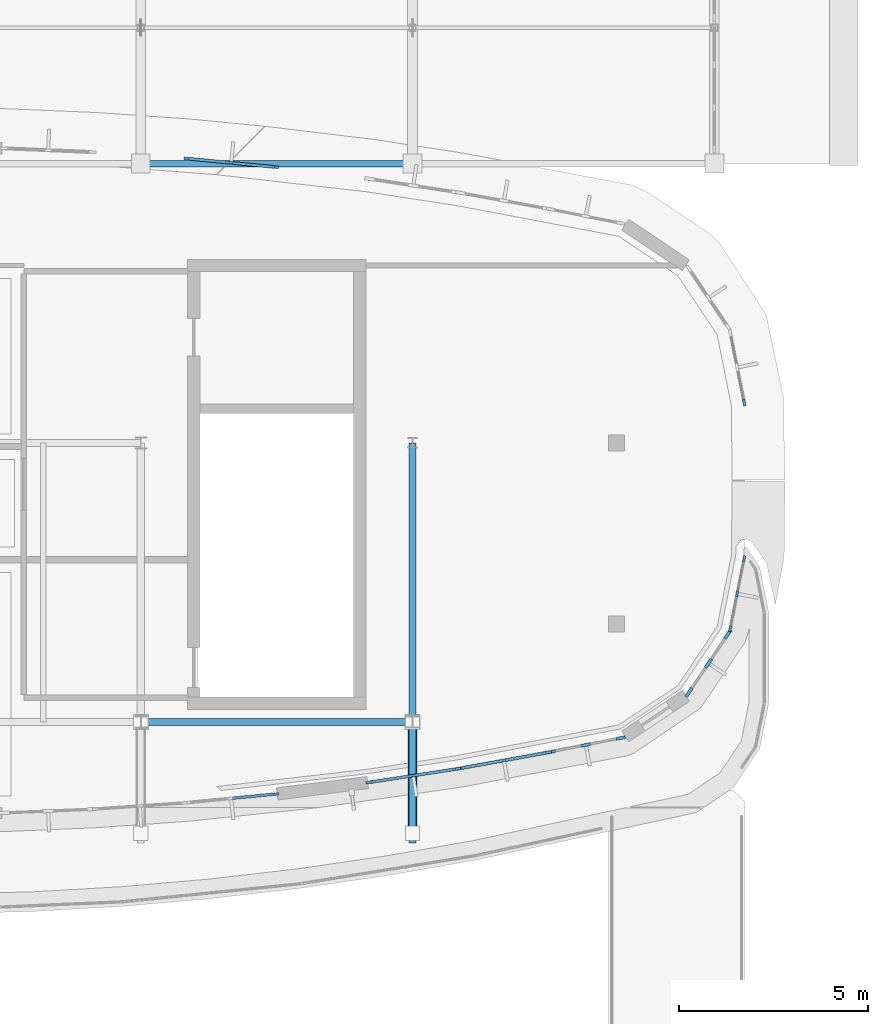
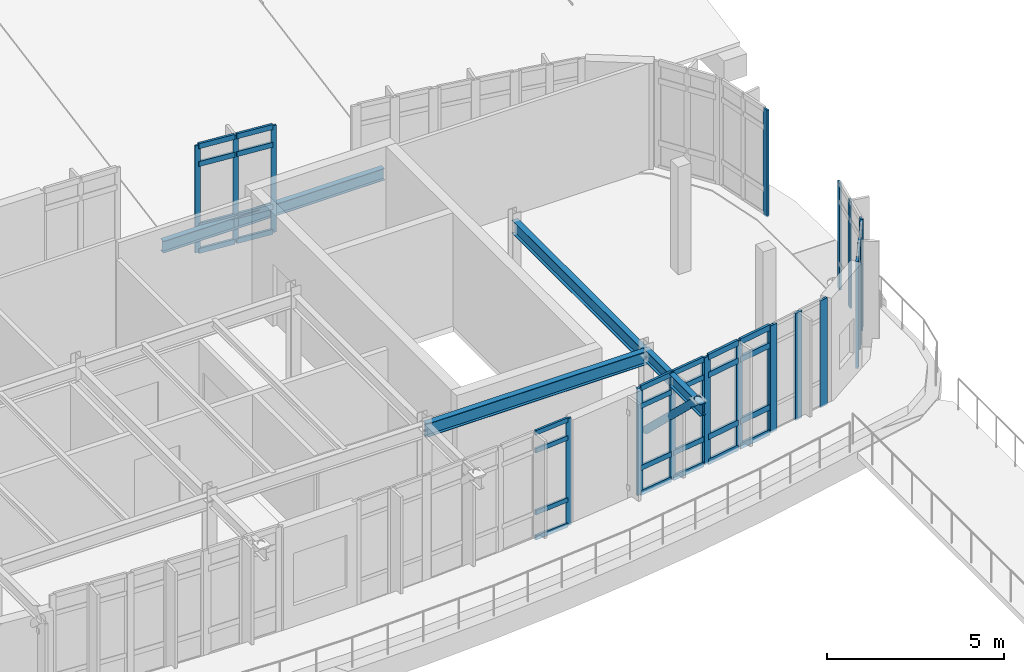
# One storey, part 34 of 105: 49 members, 4 beams, 8 elements without a shape of their own.
"""IFC4 building model written with IfcOpenShell, lengths in metres."""

import ifcopenshell
import ifcopenshell.guid

model = None  # the IFC model being written
_history = None  # IfcOwnerHistory: only IFC2X3 demands one
_inside = {}  # id of a spatial element -> (the spatial element, [elements in it])
_under = {}  # id of a project, library or spatial element -> (it, [spatial elements below it])
_declared = {}  # id of a project -> (the project, [libraries it declares])
_typed = {}  # id of a type object -> (the type object, [elements of that type])
_made_of = {}  # id of a material, layer set ... -> (it, [elements and type objects made of it])


def new_model(schema):
    """Start an empty IFC model of exactly this schema.

    Asked for "IFC4X3", IfcOpenShell would pick the latest addendum, in which some entities
    have other attributes; the version numbers below select the first issue.
    IFC2X3 requires an IfcOwnerHistory on every rooted entity: one is made here for all.
    """
    global model, _history
    if schema == "IFC4X3":
        model = ifcopenshell.file(schema_version=(4, 3, 0, 0))
    else:
        model = ifcopenshell.file(schema=schema)
    _inside.clear()
    _under.clear()
    _declared.clear()
    _typed.clear()
    _made_of.clear()
    _history = None
    if model.schema == "IFC2X3":
        org = make("IfcOrganization", Name="unknown")
        user = make(
            "IfcPersonAndOrganization",
            ThePerson=make("IfcPerson", FamilyName="unknown"),
            TheOrganization=org,
        )
        app = make(
            "IfcApplication",
            ApplicationDeveloper=org,
            Version="unknown",
            ApplicationFullName="unknown",
            ApplicationIdentifier="unknown",
        )
        _history = make(
            "IfcOwnerHistory",
            OwningUser=user,
            OwningApplication=app,
            ChangeAction="ADDED",
            CreationDate=0,
        )
    return model


def make(cls, **values):
    """One entity of the class cls with the attributes given. An attribute that is None is left unset."""
    return model.create_entity(
        cls, **{name: value for name, value in values.items() if value is not None}
    )


def rooted(cls, **values):
    """An entity with a GlobalId (a new one), such as an element, a storey or a relation."""
    return make(cls, GlobalId=ifcopenshell.guid.new(), OwnerHistory=_history, **values)


def si_unit(unit_type, name, prefix=None):
    """IfcSIUnit, for example si_unit("LENGTHUNIT", "METRE", prefix="MILLI")."""
    return make("IfcSIUnit", UnitType=unit_type, Prefix=prefix, Name=name)


def assignment(units):
    """IfcUnitAssignment: the units of a project."""
    return None if units is None else make("IfcUnitAssignment", Units=units)


def point(xyz):
    """IfcCartesianPoint."""
    return None if xyz is None else make("IfcCartesianPoint", Coordinates=xyz)


def direction(xyz):
    """IfcDirection."""
    return None if xyz is None else make("IfcDirection", DirectionRatios=xyz)


def frame(location, z_axis=None, x_axis=None):
    """IfcAxis2Placement3D, a coordinate frame: its origin and axes. An axis left out is left unset."""
    return make(
        "IfcAxis2Placement3D",
        Location=point(location),
        Axis=direction(z_axis),
        RefDirection=direction(x_axis),
    )


def frame_2d(location, x_axis=None):
    """IfcAxis2Placement2D, a coordinate frame in the plane: its origin and x axis."""
    return make(
        "IfcAxis2Placement2D", Location=point(location), RefDirection=direction(x_axis)
    )


def origin():
    """The frame at (0, 0, 0) with its axes left unset."""
    return frame((0.0, 0.0, 0.0))


def origin_2d():
    """The frame at (0, 0) in the plane with its x axis left unset."""
    return frame_2d((0.0, 0.0))


def place(relative_to, where):
    """IfcLocalPlacement: puts the frame where relative to a parent placement (None: the world)."""
    return make(
        "IfcLocalPlacement", PlacementRelTo=relative_to, RelativePlacement=where
    )


def context(
    kind, dimensions, precision=None, world=None, true_north=None, identifier=None
):
    """IfcGeometricRepresentationContext, for example the 3D "Model" context."""
    return make(
        "IfcGeometricRepresentationContext",
        ContextIdentifier=identifier,
        ContextType=kind,
        CoordinateSpaceDimension=dimensions,
        Precision=precision,
        WorldCoordinateSystem=world,
        TrueNorth=true_north,
    )


def subcontext(parent, identifier, kind, view, scale=None):
    """IfcGeometricRepresentationSubContext, for example "Body" below "Model"."""
    return make(
        "IfcGeometricRepresentationSubContext",
        ContextIdentifier=identifier,
        ContextType=kind,
        ParentContext=parent,
        TargetScale=scale,
        TargetView=view,
    )


def project(units=None, contexts=None):
    """IfcProject with its units and contexts."""
    return rooted(
        "IfcProject",
        Name="project",
        RepresentationContexts=contexts,
        UnitsInContext=assignment(units),
    )


def spatial(cls, under=None, at=None, **own):
    """A site, building, storey or space (cls), placed at a placement, below another one or the project."""
    s = rooted(cls, ObjectPlacement=at, **own)
    if under is not None:
        _under.setdefault(under.id(), (under, []))[1].append(s)
    return s


def profile(cls, at=None, kind="AREA", **sizes):
    """A parametric profile (cls). Its sizes go by their IFC names, for example OverallWidth=200.0."""
    return make(cls, ProfileType=kind, Position=at, **sizes)


def rectangle(**sizes):
    """IfcRectangleProfileDef."""
    return profile("IfcRectangleProfileDef", **sizes)


def hollow_circle(**sizes):
    """IfcCircleHollowProfileDef."""
    return profile("IfcCircleHollowProfileDef", **sizes)


def i_section(**sizes):
    """IfcIShapeProfileDef."""
    return profile("IfcIShapeProfileDef", **sizes)


def extrude(swept, where, along, depth):
    """IfcExtrudedAreaSolid: the profile swept, set in the frame where, extruded along a direction by depth."""
    return make(
        "IfcExtrudedAreaSolid",
        SweptArea=swept,
        Position=where,
        ExtrudedDirection=direction(along),
        Depth=depth,
    )


def shape(context_of_items, identifier, shape_type, items):
    """IfcShapeRepresentation: the items that make up one representation, for example the "Body"."""
    return make(
        "IfcShapeRepresentation",
        ContextOfItems=context_of_items,
        RepresentationIdentifier=identifier,
        RepresentationType=shape_type,
        Items=items,
    )


def material(Name=None, Category=None):
    """IfcMaterial."""
    return make("IfcMaterial", Name=Name, Category=Category)


def material_profile(
    of_material, cross_section, Name=None, Category=None, Priority=None
):
    """IfcMaterialProfile: a cross section and its material."""
    return make(
        "IfcMaterialProfile",
        Name=Name,
        Material=of_material,
        Profile=cross_section,
        Priority=Priority,
        Category=Category,
    )


def profile_set(profiles, Name=None, composite=None):
    """IfcMaterialProfileSet."""
    return make(
        "IfcMaterialProfileSet",
        Name=Name,
        MaterialProfiles=profiles,
        CompositeProfile=composite,
    )


def made_of(thing, what):
    """Note that an element or type object is made of a material, layer set ...; save() writes the relation."""
    if what is not None:
        _made_of.setdefault(what.id(), (what, []))[1].append(thing)
    return thing


def type_object(cls, material=None, **own):
    """A type object (cls), such as IfcWallType, which elements share."""
    return made_of(rooted(cls, **own), material)


def element(
    cls,
    number,
    at=None,
    inside=None,
    cuts=None,
    type_object=None,
    material=None,
    context=None,
    identifier="Body",
    shape_type=None,
    held_by="IfcProductDefinitionShape",
    body=None,
    shapes=None,
    **own,
):
    """One element of the class cls, such as IfcWall. Its Tag is "e" and its number.

    at: its placement. inside: the storey or other place that contains it. cuts: it is an
    opening in that element (IfcRelVoidsElement). A single representation is given by context,
    identifier, shape_type and body (its items); several are given by shapes. held_by: the class
    of the entity that holds the representations. save() writes the other relations.
    """
    e = rooted(cls, Tag="e%d" % number, ObjectPlacement=at, **own)
    if body is not None:
        shapes = [shape(context, identifier, shape_type, body)]
    if shapes is not None:
        e.Representation = make(held_by, Representations=shapes)
    if inside is not None:
        _inside.setdefault(inside.id(), (inside, []))[1].append(e)
    if cuts is not None:
        rooted(
            "IfcRelVoidsElement", RelatingBuildingElement=cuts, RelatedOpeningElement=e
        )
    if type_object is not None:
        _typed.setdefault(type_object.id(), (type_object, []))[1].append(e)
    return made_of(e, material)


def aggregate(whole, parts):
    """IfcRelAggregates: a whole, such as a stair, and the parts it consists of."""
    return rooted("IfcRelAggregates", RelatingObject=whole, RelatedObjects=parts)


def save(model, path):
    """Write the relations noted so far, then the file.

    IfcRelAggregates (storeys below a building ...), IfcRelContainedInSpatialStructure (elements
    in a storey), IfcRelDefinesByType, IfcRelAssociatesMaterial and IfcRelDeclares: one each for
    every whole, place, type object, material and project.
    """
    for whole, parts in _under.values():
        aggregate(whole, parts)
    for where, things in _inside.values():
        rooted(
            "IfcRelContainedInSpatialStructure",
            RelatedElements=things,
            RelatingStructure=where,
        )
    for kind, things in _typed.values():
        rooted("IfcRelDefinesByType", RelatedObjects=things, RelatingType=kind)
    for what, things in _made_of.values():
        rooted("IfcRelAssociatesMaterial", RelatedObjects=things, RelatingMaterial=what)
    for by, libraries in _declared.values():
        rooted("IfcRelDeclares", RelatingContext=by, RelatedDefinitions=libraries)
    model.write(path)


model = new_model("IFC4")

# Units and contexts
model_context = context("Model", 3, precision=1e-05, world=origin(), true_north=direction((0.0, 1.0)))
body_context = subcontext(model_context, "Body", "Model", "MODEL_VIEW")
ifc_project = project(units=[si_unit("LENGTHUNIT", "METRE"), si_unit("AREAUNIT", "SQUARE_METRE"), si_unit("VOLUMEUNIT", "CUBIC_METRE"), si_unit("PLANEANGLEUNIT", "RADIAN"), si_unit("MASSUNIT", "GRAM", prefix="KILO")], contexts=[model_context])

# Site, building, storey
site_placement = place(None, origin())
site = spatial("IfcSite", under=ifc_project, at=site_placement, CompositionType="ELEMENT")
building_placement = place(site_placement, origin())
building = spatial("IfcBuilding", under=site, at=building_placement, Name="Corveleigh Park Community Centre", CompositionType="ELEMENT")
storey_placement = place(building_placement, frame((0.0, 0.0, 8.699951171875)))
storey = spatial("IfcBuildingStorey", under=building, at=storey_placement, Name="L02", CompositionType="ELEMENT", Elevation=8.699951171875)

# Beams
ifc_material_1 = material(Name="Steel S355", Category="steel")
ifc_material_profile_1 = material_profile(ifc_material_1, i_section(OverallWidth=0.177978515625, OverallDepth=0.406494140625, WebThickness=0.0078125, FlangeThickness=0.0126953125, at=origin_2d()), Name="UKB 406x178x60", Category="steel")
ifc_profile_set_1 = profile_set([ifc_material_profile_1], Name="Steel S355")
beam_type_1 = type_object("IfcBeamType", Name="BM-STL-UKB406x60", PredefinedType="BEAM", material=ifc_profile_set_1)
beam_1_placement = place(storey_placement, frame((39.205078125, 92.800048828125, 0.716796875), z_axis=(1.0, 0.0, 0.0), x_axis=(0.0, 1.0, 0.0)))
element("IfcBeam", 1, at=beam_1_placement, inside=storey, type_object=beam_type_1, Name="V2 Eave Tie Beam", PredefinedType="BEAM", context=body_context, shape_type="SweptSolid", body=[
    extrude(i_section(OverallWidth=0.177978515625, OverallDepth=0.406494140625, WebThickness=0.0078125, FlangeThickness=0.0126953125, at=origin_2d()), origin(), (0.0, 0.0, 1.0), 7.18994140625),
])
ifc_material_profile_2 = material_profile(ifc_material_1, i_section(OverallWidth=0.1787109375, OverallDepth=0.409423828125, WebThickness=0.0087890625, FlangeThickness=0.014404296875, at=origin_2d()), Name="UKB 406x178x67", Category="steel")
ifc_profile_set_2 = profile_set([ifc_material_profile_2], Name="Steel S355")
beam_type_2 = type_object("IfcBeamType", Name="BM-STL-UKB406x67", PredefinedType="BEAM", material=ifc_profile_set_2)
beam_2_placement = place(storey_placement, frame((46.39990234375, 77.989990234375, 3.475341796875), z_axis=(0.0, -1.0, 0.0), x_axis=(1.0, 0.0, 0.0)))
element("IfcBeam", 2, at=beam_2_placement, inside=storey, type_object=beam_type_2, Name="V2 South Pebble Overhang Strut 6 Outrigger", PredefinedType="BEAM", context=body_context, shape_type="SweptSolid", body=[
    extrude(i_section(OverallWidth=0.1787109375, OverallDepth=0.409423828125, WebThickness=0.0087890625, FlangeThickness=0.014404296875, at=origin_2d()), origin(), (0.0, 0.0, 1.0), 3.18994140625),
])
ifc_material_profile_3 = material_profile(ifc_material_1, i_section(OverallWidth=0.1904296875, OverallDepth=0.45703125, WebThickness=0.009033203125, FlangeThickness=0.014404296875, at=origin_2d()), Name="UKB 457x191x74", Category="steel")
ifc_profile_set_3 = profile_set([ifc_material_profile_3], Name="Steel S355")
beam_type_3 = type_object("IfcBeamType", Name="BM-STL-UKB457x74", PredefinedType="BEAM", material=ifc_profile_set_3)
beam_3_placement = place(storey_placement, frame((46.39990234375, 78.0048828125, 3.383544921875), z_axis=(0.0, 1.0, 0.0), x_axis=(-1.0, 0.0, 0.0)))
element("IfcBeam", 3, at=beam_3_placement, inside=storey, type_object=beam_type_3, Name="V2 Studio Girder Y", PredefinedType="BEAM", context=body_context, shape_type="SweptSolid", body=[
    extrude(i_section(OverallWidth=0.1904296875, OverallDepth=0.45703125, WebThickness=0.009033203125, FlangeThickness=0.014404296875, at=origin_2d()), origin(), (0.0, 0.0, 1.0), 7.39013671875),
])
ifc_material_profile_4 = material_profile(ifc_material_1, i_section(OverallWidth=0.19140625, OverallDepth=0.4599609375, WebThickness=0.010009765625, FlangeThickness=0.01611328125, at=origin_2d()), Name="UKB 457x191x82", Category="steel")
ifc_profile_set_4 = profile_set([ifc_material_profile_4], Name="Steel S355")
beam_type_4 = type_object("IfcBeamType", Name="BM-STL-UKB457x82", PredefinedType="BEAM", material=ifc_profile_set_4)
beam_4_placement = place(storey_placement, frame((39.205078125, 78.0, 3.382080078125), z_axis=(1.0, 0.0, 0.0), x_axis=(0.0, 1.0, 0.0)))
element("IfcBeam", 4, at=beam_4_placement, inside=storey, type_object=beam_type_4, Name="V2 Studio Girder X", PredefinedType="BEAM", context=body_context, shape_type="SweptSolid", body=[
    extrude(i_section(OverallWidth=0.19140625, OverallDepth=0.4599609375, WebThickness=0.010009765625, FlangeThickness=0.01611328125, at=origin_2d()), origin(), (0.0, 0.0, 1.0), 7.18994140625),
])

# Curtain wall, members
ifc_material_2 = material(Name="Anodised aluminium 6063-T6", Category="aluminium")
curtain_wall_type = type_object("IfcCurtainWallType", Name="CW-SYS-V2-HALL", PredefinedType="NOTDEFINED", material=ifc_material_2)
curtain_wall_1_placement = place(storey_placement, origin())
curtain_wall_1 = element("IfcCurtainWall", 5, at=curtain_wall_1_placement, inside=storey, type_object=curtain_wall_type, Name="V2 L02 Curtain Wall 313", PredefinedType="NOTDEFINED")
ifc_material_profile_5 = material_profile(ifc_material_2, rectangle(XDim=0.06005859375, YDim=0.159912109375, at=origin_2d()), Name="ALU-M60x160", Category="aluminium")
ifc_profile_set_5 = profile_set([ifc_material_profile_5], Name="Anodised aluminium 6063-T6")
member_type_1 = type_object("IfcMemberType", Name="CWM-60x160", PredefinedType="MULLION", material=ifc_profile_set_5)
member_1_placement = place(storey_placement, frame((55.189208984375, 82.33056640625, 0.0), z_axis=(0.0, 0.0, 1.0), x_axis=(0.980796650035, -0.195033154312, 0.0)))
member_1 = element("IfcMember", 6, at=member_1_placement, type_object=member_type_1, Name="CW04 mullion 1", PredefinedType="MULLION", context=body_context, shape_type="SweptSolid", body=[
    extrude(rectangle(XDim=0.06005859375, YDim=0.159912109375, at=origin_2d()), origin(), (0.0, 0.0, 1.0), 3.679931640625),
])
member_2_placement = place(storey_placement, frame((55.00439453125, 81.402099609375, 0.0), z_axis=(0.0, 0.0, 1.0), x_axis=(0.980796650035, -0.195033154312, 0.0)))
member_2 = element("IfcMember", 7, at=member_2_placement, type_object=member_type_1, Name="CW04 mullion 2", PredefinedType="MULLION", context=body_context, shape_type="SweptSolid", body=[
    extrude(rectangle(XDim=0.06005859375, YDim=0.159912109375, at=origin_2d()), origin(), (0.0, 0.0, 1.0), 3.679931640625),
])
member_3_placement = place(storey_placement, frame((54.81982421875, 80.473388671875, 0.0), z_axis=(0.0, 0.0, 1.0), x_axis=(0.980796650035, -0.195033154312, 0.0)))
member_3 = element("IfcMember", 8, at=member_3_placement, type_object=member_type_1, Name="CW04 mullion 3", PredefinedType="MULLION", context=body_context, shape_type="SweptSolid", body=[
    extrude(rectangle(XDim=0.06005859375, YDim=0.159912109375, at=origin_2d()), origin(), (0.0, 0.0, 1.0), 3.679931640625),
])
aggregate(curtain_wall_1, [member_1, member_2, member_3])

curtain_wall_2_placement = place(storey_placement, origin())
curtain_wall_2 = element("IfcCurtainWall", 9, at=curtain_wall_2_placement, inside=storey, type_object=curtain_wall_type, Name="V2 L02 Curtain Wall 319", PredefinedType="NOTDEFINED")
member_4_placement = place(storey_placement, frame((40.42578125, 92.93408203125, 0.0), z_axis=(0.0, 0.0, 1.0), x_axis=(0.096138785108, 0.995367939004, 0.0)))
member_4 = element("IfcMember", 10, at=member_4_placement, type_object=member_type_1, Name="CW04 mullion 1", PredefinedType="MULLION", context=body_context, shape_type="SweptSolid", body=[
    extrude(rectangle(XDim=0.06005859375, YDim=0.159912109375, at=origin_2d()), origin(), (0.0, 0.0, 1.0), 3.679931640625),
])
member_5_placement = place(storey_placement, frame((41.596923828125, 92.821044921875, 0.0), z_axis=(0.0, 0.0, 1.0), x_axis=(0.096138785108, 0.995367939004, 0.0)))
member_5 = element("IfcMember", 11, at=member_5_placement, type_object=member_type_1, Name="CW04 mullion 2", PredefinedType="MULLION", context=body_context, shape_type="SweptSolid", body=[
    extrude(rectangle(XDim=0.06005859375, YDim=0.159912109375, at=origin_2d()), origin(), (0.0, 0.0, 1.0), 3.679931640625),
])
member_6_placement = place(storey_placement, frame((42.76806640625, 92.707763671875, 0.0), z_axis=(0.0, 0.0, 1.0), x_axis=(0.096138785108, 0.995367939004, 0.0)))
member_6 = element("IfcMember", 12, at=member_6_placement, type_object=member_type_1, Name="CW04 mullion 3", PredefinedType="MULLION", context=body_context, shape_type="SweptSolid", body=[
    extrude(rectangle(XDim=0.06005859375, YDim=0.159912109375, at=origin_2d()), origin(), (0.0, 0.0, 1.0), 3.679931640625),
])

# Curtain wall, member
curtain_wall_3_placement = place(storey_placement, origin())
curtain_wall_3 = element("IfcCurtainWall", 13, at=curtain_wall_3_placement, inside=storey, type_object=curtain_wall_type, Name="V2 L02 Curtain Wall 308", PredefinedType="NOTDEFINED")
ifc_material_profile_6 = material_profile(ifc_material_2, rectangle(XDim=0.06494140625, YDim=0.179931640625, at=origin_2d()), Name="ALU-M65x180", Category="aluminium")
ifc_profile_set_6 = profile_set([ifc_material_profile_6], Name="Anodised aluminium 6063-T6")
member_type_2 = type_object("IfcMemberType", Name="CWM-65x180", PredefinedType="MULLION", material=ifc_profile_set_6)
member_7_placement = place(storey_placement, frame((42.765625, 76.091796875, 0.0), z_axis=(0.0, 0.0, 1.0), x_axis=(0.096138785108, -0.995367939004, 0.0)))
member_7 = element("IfcMember", 14, at=member_7_placement, type_object=member_type_2, Name="CW04 mullion 1", PredefinedType="MULLION", context=body_context, shape_type="SweptSolid", body=[
    extrude(rectangle(XDim=0.06494140625, YDim=0.179931640625, at=origin_2d()), origin(), (0.0, 0.0, 1.0), 3.679931640625),
])

curtain_wall_4_placement = place(storey_placement, origin())
curtain_wall_4 = element("IfcCurtainWall", 15, at=curtain_wall_4_placement, inside=storey, type_object=curtain_wall_type, Name="V2 L02 Curtain Wall 314", PredefinedType="NOTDEFINED")
member_8_placement = place(storey_placement, frame((55.188720703125, 86.471923828125, 0.0), z_axis=(0.0, 0.0, 1.0), x_axis=(0.980796650035, 0.195033154312, 0.0)))
member_8 = element("IfcMember", 16, at=member_8_placement, type_object=member_type_2, Name="CW04 mullion 3", PredefinedType="MULLION", context=body_context, shape_type="SweptSolid", body=[
    extrude(rectangle(XDim=0.06494140625, YDim=0.179931640625, at=origin_2d()), origin(), (0.0, 0.0, 1.0), 3.679931640625),
])
aggregate(curtain_wall_4, [member_8])

# Curtain wall, members
curtain_wall_5_placement = place(storey_placement, origin())
curtain_wall_5 = element("IfcCurtainWall", 17, at=curtain_wall_5_placement, inside=storey, type_object=curtain_wall_type, Name="V2 L02 Curtain Wall 309", PredefinedType="NOTDEFINED")
ifc_material_profile_7 = material_profile(ifc_material_2, rectangle(XDim=0.070068359375, YDim=0.199951171875, at=origin_2d()), Name="ALU-M70x200", Category="aluminium")
ifc_profile_set_7 = profile_set([ifc_material_profile_7], Name="Anodised aluminium 6063-T6")
member_type_3 = type_object("IfcMemberType", Name="CWM-70x200", PredefinedType="MULLION", material=ifc_profile_set_7)
member_9_placement = place(storey_placement, frame((47.579345703125, 76.759765625, 0.0), z_axis=(0.0, 0.0, 1.0), x_axis=(0.151683462597, -0.988429120967, 0.0)))
member_9 = element("IfcMember", 18, at=member_9_placement, type_object=member_type_3, Name="CW04 mullion 1", PredefinedType="MULLION", context=body_context, shape_type="SweptSolid", body=[
    extrude(rectangle(XDim=0.070068359375, YDim=0.199951171875, at=origin_2d()), origin(), (0.0, 0.0, 1.0), 3.679931640625),
])
member_10_placement = place(storey_placement, frame((46.42138671875, 76.58203125, 0.0), z_axis=(0.0, 0.0, 1.0), x_axis=(0.151683462597, -0.988429120967, 0.0)))
member_10 = element("IfcMember", 19, at=member_10_placement, type_object=member_type_3, Name="CW04 mullion 2", PredefinedType="MULLION", context=body_context, shape_type="SweptSolid", body=[
    extrude(rectangle(XDim=0.070068359375, YDim=0.199951171875, at=origin_2d()), origin(), (0.0, 0.0, 1.0), 3.679931640625),
])
member_11_placement = place(storey_placement, frame((45.263671875, 76.404296875, 0.0), z_axis=(0.0, 0.0, 1.0), x_axis=(0.151683462597, -0.988429120967, 0.0)))
member_11 = element("IfcMember", 20, at=member_11_placement, type_object=member_type_3, Name="CW04 mullion 3", PredefinedType="MULLION", context=body_context, shape_type="SweptSolid", body=[
    extrude(rectangle(XDim=0.070068359375, YDim=0.199951171875, at=origin_2d()), origin(), (0.0, 0.0, 1.0), 3.679931640625),
])

curtain_wall_6_placement = place(storey_placement, origin())
curtain_wall_6 = element("IfcCurtainWall", 21, at=curtain_wall_6_placement, inside=storey, type_object=curtain_wall_type, Name="V2 L02 Curtain Wall 310", PredefinedType="NOTDEFINED")
ifc_material_profile_8 = material_profile(ifc_material_2, rectangle(XDim=0.074951171875, YDim=0.219970703125, at=origin_2d()), Name="ALU-M75x220", Category="aluminium")
ifc_profile_set_8 = profile_set([ifc_material_profile_8], Name="Anodised aluminium 6063-T6")
member_type_4 = type_object("IfcMemberType", Name="CWM-75x220", PredefinedType="MULLION", material=ifc_profile_set_8)
member_12_placement = place(storey_placement, frame((49.97119140625, 77.1923828125, 0.0), z_axis=(0.0, 0.0, 1.0), x_axis=(0.178484557805, -0.983942713081, 0.0)))
member_12 = element("IfcMember", 22, at=member_12_placement, type_object=member_type_4, Name="CW04 mullion 1", PredefinedType="MULLION", context=body_context, shape_type="SweptSolid", body=[
    extrude(rectangle(XDim=0.074951171875, YDim=0.219970703125, at=origin_2d()), origin(), (0.0, 0.0, 1.0), 3.679931640625),
])
member_13_placement = place(storey_placement, frame((48.820068359375, 76.9833984375, 0.0), z_axis=(0.0, 0.0, 1.0), x_axis=(0.178484557805, -0.983942713081, 0.0)))
member_13 = element("IfcMember", 23, at=member_13_placement, type_object=member_type_4, Name="CW04 mullion 2", PredefinedType="MULLION", context=body_context, shape_type="SweptSolid", body=[
    extrude(rectangle(XDim=0.074951171875, YDim=0.219970703125, at=origin_2d()), origin(), (0.0, 0.0, 1.0), 3.679931640625),
])
member_14_placement = place(storey_placement, frame((47.6689453125, 76.774658203125, 0.0), z_axis=(0.0, 0.0, 1.0), x_axis=(0.178484557805, -0.983942713081, 0.0)))
member_14 = element("IfcMember", 24, at=member_14_placement, type_object=member_type_4, Name="CW04 mullion 3", PredefinedType="MULLION", context=body_context, shape_type="SweptSolid", body=[
    extrude(rectangle(XDim=0.074951171875, YDim=0.219970703125, at=origin_2d()), origin(), (0.0, 0.0, 1.0), 3.679931640625),
])

curtain_wall_7_placement = place(storey_placement, origin())
curtain_wall_7 = element("IfcCurtainWall", 25, at=curtain_wall_7_placement, inside=storey, type_object=curtain_wall_type, Name="V2 L02 Curtain Wall 311", PredefinedType="NOTDEFINED")
ifc_material_profile_9 = material_profile(ifc_material_2, rectangle(XDim=0.080078125, YDim=0.25, at=origin_2d()), Name="ALU-M80x250", Category="aluminium")
ifc_profile_set_9 = profile_set([ifc_material_profile_9], Name="Anodised aluminium 6063-T6")
member_type_5 = type_object("IfcMemberType", Name="CWM-80x250", PredefinedType="MULLION", material=ifc_profile_set_9)
member_15_placement = place(storey_placement, frame((51.916748046875, 77.578125, 0.0), z_axis=(0.0, 0.0, 1.0), x_axis=(0.194944453986, -0.980814284082, 0.0)))
member_15 = element("IfcMember", 26, at=member_15_placement, type_object=member_type_5, Name="CW04 mullion 1", PredefinedType="MULLION", context=body_context, shape_type="SweptSolid", body=[
    extrude(rectangle(XDim=0.080078125, YDim=0.25, at=origin_2d()), origin(), (0.0, 0.0, 1.0), 3.679931640625),
])
member_16_placement = place(storey_placement, frame((50.989990234375, 77.39404296875, 0.0), z_axis=(0.0, 0.0, 1.0), x_axis=(0.194944453986, -0.980814284082, 0.0)))
member_16 = element("IfcMember", 27, at=member_16_placement, type_object=member_type_5, Name="CW04 mullion 2", PredefinedType="MULLION", context=body_context, shape_type="SweptSolid", body=[
    extrude(rectangle(XDim=0.080078125, YDim=0.25, at=origin_2d()), origin(), (0.0, 0.0, 1.0), 3.679931640625),
])
member_17_placement = place(storey_placement, frame((50.063232421875, 77.209716796875, 0.0), z_axis=(0.0, 0.0, 1.0), x_axis=(0.194944453986, -0.980814284082, 0.0)))
member_17 = element("IfcMember", 28, at=member_17_placement, type_object=member_type_5, Name="CW04 mullion 3", PredefinedType="MULLION", context=body_context, shape_type="SweptSolid", body=[
    extrude(rectangle(XDim=0.080078125, YDim=0.25, at=origin_2d()), origin(), (0.0, 0.0, 1.0), 3.679931640625),
])
aggregate(curtain_wall_7, [member_15, member_16, member_17])

curtain_wall_8_placement = place(storey_placement, origin())
curtain_wall_8 = element("IfcCurtainWall", 29, at=curtain_wall_8_placement, inside=storey, type_object=curtain_wall_type, Name="V2 L02 Curtain Wall 312", PredefinedType="NOTDEFINED")
ifc_material_profile_10 = material_profile(ifc_material_2, rectangle(XDim=0.0849609375, YDim=0.27490234375, at=origin_2d()), Name="ALU-M85x275", Category="aluminium")
ifc_profile_set_10 = profile_set([ifc_material_profile_10], Name="Anodised aluminium 6063-T6")
member_type_6 = type_object("IfcMemberType", Name="CWM-85x275", PredefinedType="MULLION", material=ifc_profile_set_10)
member_18_placement = place(storey_placement, frame((54.75634765625, 80.32763671875, 0.0), z_axis=(0.0, 0.0, 1.0), x_axis=(0.831811465407, -0.555058272633, 0.0)))
member_18 = element("IfcMember", 30, at=member_18_placement, type_object=member_type_6, Name="CW04 mullion 1", PredefinedType="MULLION", context=body_context, shape_type="SweptSolid", body=[
    extrude(rectangle(XDim=0.0849609375, YDim=0.27490234375, at=origin_2d()), origin(), (0.0, 0.0, 1.0), 3.679931640625),
])
member_19_placement = place(storey_placement, frame((54.243408203125, 79.55908203125, 0.0), z_axis=(0.0, 0.0, 1.0), x_axis=(0.831811465407, -0.555058272633, 0.0)))
member_19 = element("IfcMember", 31, at=member_19_placement, type_object=member_type_6, Name="CW04 mullion 2", PredefinedType="MULLION", context=body_context, shape_type="SweptSolid", body=[
    extrude(rectangle(XDim=0.0849609375, YDim=0.27490234375, at=origin_2d()), origin(), (0.0, 0.0, 1.0), 3.679931640625),
])
member_20_placement = place(storey_placement, frame((53.73046875, 78.790283203125, 0.0), z_axis=(0.0, 0.0, 1.0), x_axis=(0.831811465407, -0.555058272633, 0.0)))
member_20 = element("IfcMember", 32, at=member_20_placement, type_object=member_type_6, Name="CW04 mullion 3", PredefinedType="MULLION", context=body_context, shape_type="SweptSolid", body=[
    extrude(rectangle(XDim=0.0849609375, YDim=0.27490234375, at=origin_2d()), origin(), (0.0, 0.0, 1.0), 3.679931640625),
])
aggregate(curtain_wall_8, [member_18, member_19, member_20])

# Member
ifc_material_profile_11 = material_profile(ifc_material_2, rectangle(XDim=0.070068359375, YDim=0.155029296875, at=origin_2d()), Name="ALU-T70x155", Category="aluminium")
ifc_profile_set_11 = profile_set([ifc_material_profile_11], Name="Anodised aluminium 6063-T6")
member_type_7 = type_object("IfcMemberType", Name="CWT-70x155", PredefinedType="USERDEFINED", material=ifc_profile_set_11)
member_21_placement = place(storey_placement, frame((42.7333984375, 76.0888671875, 0.03515625), z_axis=(-0.995362939212, -0.096190536142, 0.0), x_axis=(0.096190536142, -0.995362939212, 0.0)))
member_21 = element("IfcMember", 33, at=member_21_placement, type_object=member_type_7, Name="CW04 transom 1.1", ObjectType="TRANSOM", PredefinedType="USERDEFINED", context=body_context, shape_type="SweptSolid", body=[
    extrude(rectangle(XDim=0.070068359375, YDim=0.155029296875, at=origin_2d()), origin(), (0.0, 0.0, 1.0), 1.109130859375),
])

member_22_placement = place(storey_placement, frame((42.7333984375, 76.0888671875, 0.900146484375), z_axis=(-0.995362939212, -0.096190536142, 0.0), x_axis=(0.096190536142, -0.995362939212, 0.0)))
member_22 = element("IfcMember", 34, at=member_22_placement, type_object=member_type_7, Name="CW04 transom 1.2", ObjectType="TRANSOM", PredefinedType="USERDEFINED", context=body_context, shape_type="SweptSolid", body=[
    extrude(rectangle(XDim=0.070068359375, YDim=0.155029296875, at=origin_2d()), origin(), (0.0, 0.0, 1.0), 1.109130859375),
])

member_23_placement = place(storey_placement, frame((42.7333984375, 76.0888671875, 3.030029296875), z_axis=(-0.995362939212, -0.096190536142, 0.0), x_axis=(0.096190536142, -0.995362939212, 0.0)))
member_23 = element("IfcMember", 35, at=member_23_placement, type_object=member_type_7, Name="CW04 transom 1.3", ObjectType="TRANSOM", PredefinedType="USERDEFINED", context=body_context, shape_type="SweptSolid", body=[
    extrude(rectangle(XDim=0.070068359375, YDim=0.155029296875, at=origin_2d()), origin(), (0.0, 0.0, 1.0), 1.109130859375),
])

member_24_placement = place(storey_placement, frame((42.7333984375, 76.0888671875, 3.64501953125), z_axis=(-0.995362939212, -0.096190536142, 0.0), x_axis=(0.096190536142, -0.995362939212, 0.0)))
member_24 = element("IfcMember", 36, at=member_24_placement, type_object=member_type_7, Name="CW04 transom 1.4", ObjectType="TRANSOM", PredefinedType="USERDEFINED", context=body_context, shape_type="SweptSolid", body=[
    extrude(rectangle(XDim=0.070068359375, YDim=0.155029296875, at=origin_2d()), origin(), (0.0, 0.0, 1.0), 1.109130859375),
])

aggregate(curtain_wall_3, [member_7, member_21, member_22, member_23, member_24])

ifc_material_profile_12 = material_profile(ifc_material_2, rectangle(XDim=0.074951171875, YDim=0.175048828125, at=origin_2d()), Name="ALU-T75x175", Category="aluminium")
ifc_profile_set_12 = profile_set([ifc_material_profile_12], Name="Anodised aluminium 6063-T6")
member_type_8 = type_object("IfcMemberType", Name="CWT-75x175", PredefinedType="USERDEFINED", material=ifc_profile_set_12)
member_25_placement = place(storey_placement, frame((47.544921875, 76.75439453125, 0.03759765625), z_axis=(-0.988443327232, -0.151590860051, 0.0), x_axis=(0.151590860051, -0.988443327232, 0.0)))
member_25 = element("IfcMember", 37, at=member_25_placement, type_object=member_type_8, Name="CW04 transom 1.1", ObjectType="TRANSOM", PredefinedType="USERDEFINED", context=body_context, shape_type="SweptSolid", body=[
    extrude(rectangle(XDim=0.074951171875, YDim=0.175048828125, at=origin_2d()), origin(), (0.0, 0.0, 1.0), 1.1015625),
])

member_26_placement = place(storey_placement, frame((47.544921875, 76.75439453125, 0.900146484375), z_axis=(-0.988443327232, -0.151590860051, 0.0), x_axis=(0.151590860051, -0.988443327232, 0.0)))
member_26 = element("IfcMember", 38, at=member_26_placement, type_object=member_type_8, Name="CW04 transom 1.2", ObjectType="TRANSOM", PredefinedType="USERDEFINED", context=body_context, shape_type="SweptSolid", body=[
    extrude(rectangle(XDim=0.074951171875, YDim=0.175048828125, at=origin_2d()), origin(), (0.0, 0.0, 1.0), 1.1015625),
])

member_27_placement = place(storey_placement, frame((47.544921875, 76.75439453125, 3.030029296875), z_axis=(-0.988443327232, -0.151590860051, 0.0), x_axis=(0.151590860051, -0.988443327232, 0.0)))
member_27 = element("IfcMember", 39, at=member_27_placement, type_object=member_type_8, Name="CW04 transom 1.3", ObjectType="TRANSOM", PredefinedType="USERDEFINED", context=body_context, shape_type="SweptSolid", body=[
    extrude(rectangle(XDim=0.074951171875, YDim=0.175048828125, at=origin_2d()), origin(), (0.0, 0.0, 1.0), 1.1015625),
])

member_28_placement = place(storey_placement, frame((47.544921875, 76.75439453125, 3.642578125), z_axis=(-0.988443327232, -0.151590860051, 0.0), x_axis=(0.151590860051, -0.988443327232, 0.0)))
member_28 = element("IfcMember", 40, at=member_28_placement, type_object=member_type_8, Name="CW04 transom 1.4", ObjectType="TRANSOM", PredefinedType="USERDEFINED", context=body_context, shape_type="SweptSolid", body=[
    extrude(rectangle(XDim=0.074951171875, YDim=0.175048828125, at=origin_2d()), origin(), (0.0, 0.0, 1.0), 1.1015625),
])

member_29_placement = place(storey_placement, frame((46.386962890625, 76.57666015625, 0.03759765625), z_axis=(-0.988443327232, -0.151590860051, 0.0), x_axis=(0.151590860051, -0.988443327232, 0.0)))
member_29 = element("IfcMember", 41, at=member_29_placement, type_object=member_type_8, Name="CW04 transom 2.1", ObjectType="TRANSOM", PredefinedType="USERDEFINED", context=body_context, shape_type="SweptSolid", body=[
    extrude(rectangle(XDim=0.074951171875, YDim=0.175048828125, at=origin_2d()), origin(), (0.0, 0.0, 1.0), 1.1015625),
])

member_30_placement = place(storey_placement, frame((46.386962890625, 76.57666015625, 0.900146484375), z_axis=(-0.988443327232, -0.151590860051, 0.0), x_axis=(0.151590860051, -0.988443327232, 0.0)))
member_30 = element("IfcMember", 42, at=member_30_placement, type_object=member_type_8, Name="CW04 transom 2.2", ObjectType="TRANSOM", PredefinedType="USERDEFINED", context=body_context, shape_type="SweptSolid", body=[
    extrude(rectangle(XDim=0.074951171875, YDim=0.175048828125, at=origin_2d()), origin(), (0.0, 0.0, 1.0), 1.1015625),
])

member_31_placement = place(storey_placement, frame((46.386962890625, 76.57666015625, 3.030029296875), z_axis=(-0.988443327232, -0.151590860051, 0.0), x_axis=(0.151590860051, -0.988443327232, 0.0)))
member_31 = element("IfcMember", 43, at=member_31_placement, type_object=member_type_8, Name="CW04 transom 2.3", ObjectType="TRANSOM", PredefinedType="USERDEFINED", context=body_context, shape_type="SweptSolid", body=[
    extrude(rectangle(XDim=0.074951171875, YDim=0.175048828125, at=origin_2d()), origin(), (0.0, 0.0, 1.0), 1.1015625),
])

member_32_placement = place(storey_placement, frame((46.386962890625, 76.57666015625, 3.642578125), z_axis=(-0.988443327232, -0.151590860051, 0.0), x_axis=(0.151590860051, -0.988443327232, 0.0)))
member_32 = element("IfcMember", 44, at=member_32_placement, type_object=member_type_8, Name="CW04 transom 2.4", ObjectType="TRANSOM", PredefinedType="USERDEFINED", context=body_context, shape_type="SweptSolid", body=[
    extrude(rectangle(XDim=0.074951171875, YDim=0.175048828125, at=origin_2d()), origin(), (0.0, 0.0, 1.0), 1.1015625),
])

aggregate(curtain_wall_5, [member_9, member_10, member_11, member_25, member_26, member_27, member_28, member_29, member_30, member_31, member_32])

member_33_placement = place(storey_placement, frame((40.455810546875, 92.93115234375, 0.03759765625), z_axis=(0.995381745283, -0.095995735101, 0.0), x_axis=(0.095995735101, 0.995381745283, 0.0)))
member_33 = element("IfcMember", 45, at=member_33_placement, type_object=member_type_8, Name="CW04 transom 1.1", ObjectType="TRANSOM", PredefinedType="USERDEFINED", context=body_context, shape_type="SweptSolid", body=[
    extrude(rectangle(XDim=0.074951171875, YDim=0.175048828125, at=origin_2d()), origin(), (0.0, 0.0, 1.0), 1.116455078125),
])

member_34_placement = place(storey_placement, frame((40.455810546875, 92.93115234375, 0.900146484375), z_axis=(0.995381745283, -0.095995735101, 0.0), x_axis=(0.095995735101, 0.995381745283, 0.0)))
member_34 = element("IfcMember", 46, at=member_34_placement, type_object=member_type_8, Name="CW04 transom 1.2", ObjectType="TRANSOM", PredefinedType="USERDEFINED", context=body_context, shape_type="SweptSolid", body=[
    extrude(rectangle(XDim=0.074951171875, YDim=0.175048828125, at=origin_2d()), origin(), (0.0, 0.0, 1.0), 1.116455078125),
])

member_35_placement = place(storey_placement, frame((40.455810546875, 92.93115234375, 3.030029296875), z_axis=(0.995381745283, -0.095995735101, 0.0), x_axis=(0.095995735101, 0.995381745283, 0.0)))
member_35 = element("IfcMember", 47, at=member_35_placement, type_object=member_type_8, Name="CW04 transom 1.3", ObjectType="TRANSOM", PredefinedType="USERDEFINED", context=body_context, shape_type="SweptSolid", body=[
    extrude(rectangle(XDim=0.074951171875, YDim=0.175048828125, at=origin_2d()), origin(), (0.0, 0.0, 1.0), 1.116455078125),
])

member_36_placement = place(storey_placement, frame((40.455810546875, 92.93115234375, 3.642578125), z_axis=(0.995381745283, -0.095995735101, 0.0), x_axis=(0.095995735101, 0.995381745283, 0.0)))
member_36 = element("IfcMember", 48, at=member_36_placement, type_object=member_type_8, Name="CW04 transom 1.4", ObjectType="TRANSOM", PredefinedType="USERDEFINED", context=body_context, shape_type="SweptSolid", body=[
    extrude(rectangle(XDim=0.074951171875, YDim=0.175048828125, at=origin_2d()), origin(), (0.0, 0.0, 1.0), 1.116455078125),
])

member_37_placement = place(storey_placement, frame((41.626953125, 92.818115234375, 0.03759765625), z_axis=(0.995360827787, -0.096212382299, 0.0), x_axis=(0.096212382299, 0.995360827787, 0.0)))
member_37 = element("IfcMember", 49, at=member_37_placement, type_object=member_type_8, Name="CW04 transom 2.1", ObjectType="TRANSOM", PredefinedType="USERDEFINED", context=body_context, shape_type="SweptSolid", body=[
    extrude(rectangle(XDim=0.074951171875, YDim=0.175048828125, at=origin_2d()), origin(), (0.0, 0.0, 1.0), 1.116455078125),
])

member_38_placement = place(storey_placement, frame((41.626953125, 92.818115234375, 0.900146484375), z_axis=(0.995360827787, -0.096212382299, 0.0), x_axis=(0.096212382299, 0.995360827787, 0.0)))
member_38 = element("IfcMember", 50, at=member_38_placement, type_object=member_type_8, Name="CW04 transom 2.2", ObjectType="TRANSOM", PredefinedType="USERDEFINED", context=body_context, shape_type="SweptSolid", body=[
    extrude(rectangle(XDim=0.074951171875, YDim=0.175048828125, at=origin_2d()), origin(), (0.0, 0.0, 1.0), 1.116455078125),
])

member_39_placement = place(storey_placement, frame((41.626953125, 92.818115234375, 3.030029296875), z_axis=(0.995360827787, -0.096212382299, 0.0), x_axis=(0.096212382299, 0.995360827787, 0.0)))
member_39 = element("IfcMember", 51, at=member_39_placement, type_object=member_type_8, Name="CW04 transom 2.3", ObjectType="TRANSOM", PredefinedType="USERDEFINED", context=body_context, shape_type="SweptSolid", body=[
    extrude(rectangle(XDim=0.074951171875, YDim=0.175048828125, at=origin_2d()), origin(), (0.0, 0.0, 1.0), 1.116455078125),
])

member_40_placement = place(storey_placement, frame((41.626953125, 92.818115234375, 3.642578125), z_axis=(0.995360827787, -0.096212382299, 0.0), x_axis=(0.096212382299, 0.995360827787, 0.0)))
member_40 = element("IfcMember", 52, at=member_40_placement, type_object=member_type_8, Name="CW04 transom 2.4", ObjectType="TRANSOM", PredefinedType="USERDEFINED", context=body_context, shape_type="SweptSolid", body=[
    extrude(rectangle(XDim=0.074951171875, YDim=0.175048828125, at=origin_2d()), origin(), (0.0, 0.0, 1.0), 1.116455078125),
])

aggregate(curtain_wall_2, [member_4, member_5, member_6, member_33, member_34, member_35, member_36, member_37, member_38, member_39, member_40])

ifc_material_profile_13 = material_profile(ifc_material_2, rectangle(XDim=0.080078125, YDim=0.195068359375, at=origin_2d()), Name="ALU-T80x195", Category="aluminium")
ifc_profile_set_13 = profile_set([ifc_material_profile_13], Name="Anodised aluminium 6063-T6")
member_type_9 = type_object("IfcMemberType", Name="CWT-80x195", PredefinedType="USERDEFINED", material=ifc_profile_set_13)
member_41_placement = place(storey_placement, frame((49.934326171875, 77.185546875, 0.0400390625), z_axis=(-0.983962532974, -0.178375260906, 0.0), x_axis=(0.178375260906, -0.983962532974, 0.0)))
member_41 = element("IfcMember", 53, at=member_41_placement, type_object=member_type_9, Name="CW04 transom 1.1", ObjectType="TRANSOM", PredefinedType="USERDEFINED", context=body_context, shape_type="SweptSolid", body=[
    extrude(rectangle(XDim=0.080078125, YDim=0.195068359375, at=origin_2d()), origin(), (0.0, 0.0, 1.0), 1.094970703125),
])

member_42_placement = place(storey_placement, frame((49.934326171875, 77.185546875, 0.900146484375), z_axis=(-0.983962532974, -0.178375260906, 0.0), x_axis=(0.178375260906, -0.983962532974, 0.0)))
member_42 = element("IfcMember", 54, at=member_42_placement, type_object=member_type_9, Name="CW04 transom 1.2", ObjectType="TRANSOM", PredefinedType="USERDEFINED", context=body_context, shape_type="SweptSolid", body=[
    extrude(rectangle(XDim=0.080078125, YDim=0.195068359375, at=origin_2d()), origin(), (0.0, 0.0, 1.0), 1.094970703125),
])

member_43_placement = place(storey_placement, frame((49.934326171875, 77.185546875, 3.030029296875), z_axis=(-0.983962532974, -0.178375260906, 0.0), x_axis=(0.178375260906, -0.983962532974, 0.0)))
member_43 = element("IfcMember", 55, at=member_43_placement, type_object=member_type_9, Name="CW04 transom 1.3", ObjectType="TRANSOM", PredefinedType="USERDEFINED", context=body_context, shape_type="SweptSolid", body=[
    extrude(rectangle(XDim=0.080078125, YDim=0.195068359375, at=origin_2d()), origin(), (0.0, 0.0, 1.0), 1.094970703125),
])

member_44_placement = place(storey_placement, frame((49.934326171875, 77.185546875, 3.64013671875), z_axis=(-0.983962532974, -0.178375260906, 0.0), x_axis=(0.178375260906, -0.983962532974, 0.0)))
member_44 = element("IfcMember", 56, at=member_44_placement, type_object=member_type_9, Name="CW04 transom 1.4", ObjectType="TRANSOM", PredefinedType="USERDEFINED", context=body_context, shape_type="SweptSolid", body=[
    extrude(rectangle(XDim=0.080078125, YDim=0.195068359375, at=origin_2d()), origin(), (0.0, 0.0, 1.0), 1.094970703125),
])

member_45_placement = place(storey_placement, frame((48.783203125, 76.976806640625, 0.0400390625), z_axis=(-0.983962532974, -0.178375260906, 0.0), x_axis=(0.178375260906, -0.983962532974, 0.0)))
member_45 = element("IfcMember", 57, at=member_45_placement, type_object=member_type_9, Name="CW04 transom 2.1", ObjectType="TRANSOM", PredefinedType="USERDEFINED", context=body_context, shape_type="SweptSolid", body=[
    extrude(rectangle(XDim=0.080078125, YDim=0.195068359375, at=origin_2d()), origin(), (0.0, 0.0, 1.0), 1.094970703125),
])

member_46_placement = place(storey_placement, frame((48.783203125, 76.976806640625, 0.900146484375), z_axis=(-0.983962532974, -0.178375260906, 0.0), x_axis=(0.178375260906, -0.983962532974, 0.0)))
member_46 = element("IfcMember", 58, at=member_46_placement, type_object=member_type_9, Name="CW04 transom 2.2", ObjectType="TRANSOM", PredefinedType="USERDEFINED", context=body_context, shape_type="SweptSolid", body=[
    extrude(rectangle(XDim=0.080078125, YDim=0.195068359375, at=origin_2d()), origin(), (0.0, 0.0, 1.0), 1.094970703125),
])

member_47_placement = place(storey_placement, frame((48.783203125, 76.976806640625, 3.030029296875), z_axis=(-0.983962532974, -0.178375260906, 0.0), x_axis=(0.178375260906, -0.983962532974, 0.0)))
member_47 = element("IfcMember", 59, at=member_47_placement, type_object=member_type_9, Name="CW04 transom 2.3", ObjectType="TRANSOM", PredefinedType="USERDEFINED", context=body_context, shape_type="SweptSolid", body=[
    extrude(rectangle(XDim=0.080078125, YDim=0.195068359375, at=origin_2d()), origin(), (0.0, 0.0, 1.0), 1.094970703125),
])

member_48_placement = place(storey_placement, frame((48.783203125, 76.976806640625, 3.64013671875), z_axis=(-0.983962532974, -0.178375260906, 0.0), x_axis=(0.178375260906, -0.983962532974, 0.0)))
member_48 = element("IfcMember", 60, at=member_48_placement, type_object=member_type_9, Name="CW04 transom 2.4", ObjectType="TRANSOM", PredefinedType="USERDEFINED", context=body_context, shape_type="SweptSolid", body=[
    extrude(rectangle(XDim=0.080078125, YDim=0.195068359375, at=origin_2d()), origin(), (0.0, 0.0, 1.0), 1.094970703125),
])

aggregate(curtain_wall_6, [member_12, member_13, member_14, member_41, member_42, member_43, member_44, member_45, member_46, member_47, member_48])

ifc_material_profile_14 = material_profile(ifc_material_1, hollow_circle(Radius=0.122314453125, WallThickness=0.012451171875, at=origin_2d()), Name="CHS 244.5x12.5", Category="steel")
ifc_profile_set_14 = profile_set([ifc_material_profile_14], Name="Steel S355")
member_type_10 = type_object("IfcMemberType", Name="MEM-STR-CHS245", PredefinedType="STRUT", material=ifc_profile_set_14)
member_49_placement = place(storey_placement, frame((46.39990234375, 78.0, 0.85009765625), z_axis=(0.0, -0.721795069171, 0.692106840105), x_axis=(1.0, 0.0, 0.0)))
element("IfcMember", 61, at=member_49_placement, inside=storey, type_object=member_type_10, Name="V2 South Pebble Overhang Strut 6", PredefinedType="STRUT", context=body_context, shape_type="SweptSolid", body=[
    extrude(hollow_circle(Radius=0.122314453125, WallThickness=0.012451171875, at=origin_2d()), origin(), (0.0, 0.0, 1.0), 4.078857421875),
])

save(model, "model.ifc")
